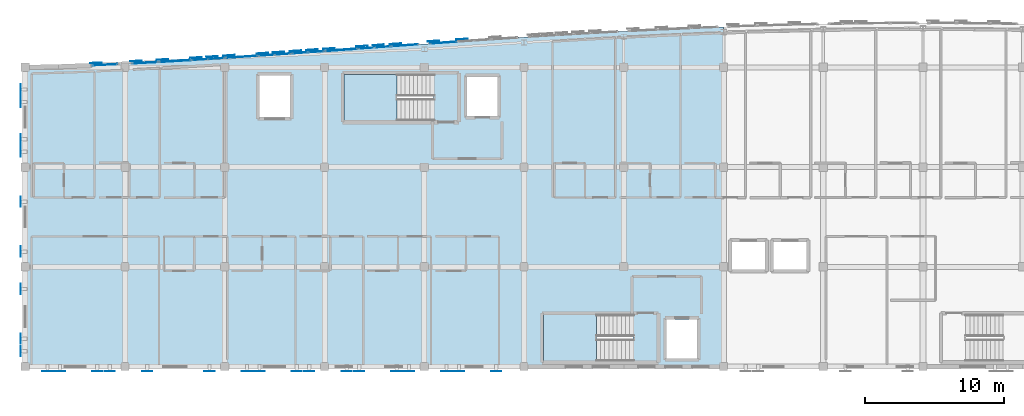
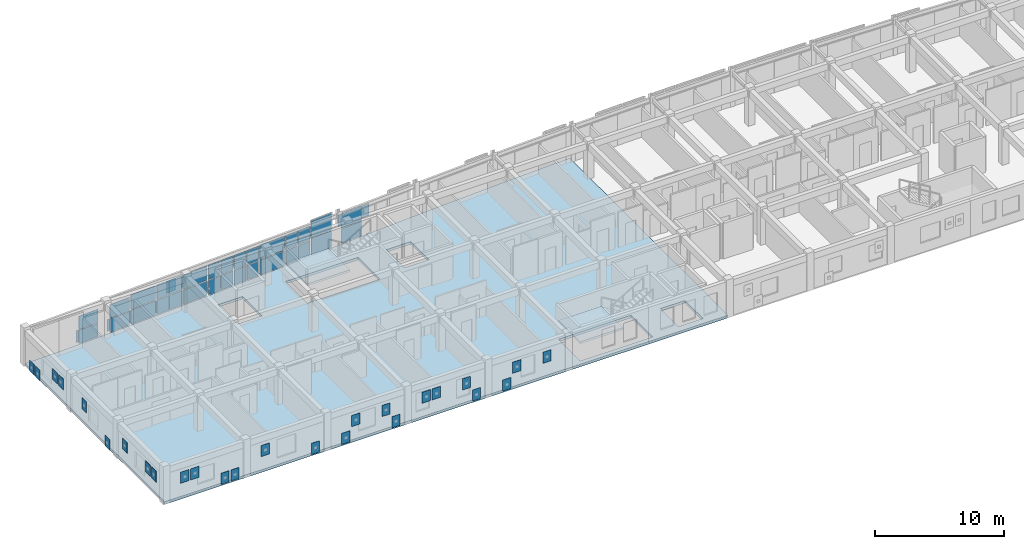
# One storey, part 29 of 45: 72 plates, 3 slabs, 13 elements without a shape of their own.
"""IFC4 building model written with IfcOpenShell, lengths in metres."""

from ifc_helpers import new_model, si_unit, direction, frame, origin, origin_2d, place, context, subcontext, project, spatial, polyline, rectangle, outline, extrude, material, layer, layer_set, type_object, element, aggregate, save


model = new_model("IFC4")

# Units and contexts
model_context = context("Model", 3, precision=1e-05, world=origin(), true_north=direction((0.0, 1.0)))
body_context = subcontext(model_context, "Body", "Model", "MODEL_VIEW")
ifc_project = project(units=[si_unit("LENGTHUNIT", "METRE"), si_unit("AREAUNIT", "SQUARE_METRE"), si_unit("VOLUMEUNIT", "CUBIC_METRE"), si_unit("PLANEANGLEUNIT", "RADIAN"), si_unit("MASSUNIT", "GRAM", prefix="KILO")], contexts=[model_context])

# Site, building, storey
site_placement = place(None, origin())
site = spatial("IfcSite", under=ifc_project, at=site_placement, CompositionType="ELEMENT")
building_placement = place(site_placement, origin())
building = spatial("IfcBuilding", under=site, at=building_placement, Name="Carrowvane Square Congress Hotel", CompositionType="ELEMENT")
storey_placement = place(building_placement, frame((0.0, 0.0, 33.60009765625)))
storey = spatial("IfcBuildingStorey", under=building, at=storey_placement, Name="L08", CompositionType="ELEMENT", Elevation=33.60009765625)

# Curtain wall, plates
ifc_material_1 = material(Name="Anodised aluminium", Category="aluminium")
ifc_layer_1 = layer(ifc_material_1, 0.2099609375)
ifc_layer_set_1 = layer_set([ifc_layer_1], Name="Anodised aluminium")
curtain_wall_type_1 = type_object("IfcCurtainWallType", Name="CW-SYS-5", PredefinedType="NOTDEFINED", material=ifc_layer_set_1)
curtain_wall_1_placement = place(storey_placement, origin())
curtain_wall_1 = element("IfcCurtainWall", 1, at=curtain_wall_1_placement, inside=storey, type_object=curtain_wall_type_1, Name="L08 unitised curtain wall 460", PredefinedType="NOTDEFINED")
ifc_material_2 = material(Name="Double-glazed low-E glass", Category="glass")
ifc_layer_2 = layer(ifc_material_2, 0.028076171875)
ifc_layer_set_2 = layer_set([ifc_layer_2], Name="Double-glazed low-E glass")
plate_type_1 = type_object("IfcPlateType", Name="CW-PAN-1", PredefinedType="CURTAIN_PANEL", material=ifc_layer_set_2)
plate_1_placement = place(storey_placement, frame((45.81494140625, 113.962158203125, 0.06005859375), z_axis=(0.0, 0.0, 1.0), x_axis=(0.997996225303, 0.063273487972, 0.0)))
plate_1 = element("IfcPlate", 2, at=plate_1_placement, type_object=plate_type_1, Name="CW-5 panel 1.1", PredefinedType="CURTAIN_PANEL", context=body_context, shape_type="SweptSolid", body=[
    extrude(rectangle(XDim=1.1123046875, YDim=0.028076171875, at=origin_2d()), origin(), (0.0, 0.0, 1.0), 1.377685546875),
])
plate_2_placement = place(storey_placement, frame((45.81494140625, 113.962158203125, 1.49755859375), z_axis=(0.0, 0.0, 1.0), x_axis=(0.997996225303, 0.063273487972, 0.0)))
plate_2 = element("IfcPlate", 3, at=plate_2_placement, type_object=plate_type_1, Name="CW-5 panel 1.2", PredefinedType="CURTAIN_PANEL", context=body_context, shape_type="SweptSolid", body=[
    extrude(rectangle(XDim=1.1123046875, YDim=0.028076171875, at=origin_2d()), origin(), (0.0, 0.0, 1.0), 1.377685546875),
])
plate_3_placement = place(storey_placement, frame((46.985107421875, 114.036376953125, 0.06005859375), z_axis=(0.0, 0.0, 1.0), x_axis=(0.997996225303, 0.063273487972, 0.0)))
plate_3 = element("IfcPlate", 4, at=plate_3_placement, type_object=plate_type_1, Name="CW-5 panel 2.1", PredefinedType="CURTAIN_PANEL", context=body_context, shape_type="SweptSolid", body=[
    extrude(rectangle(XDim=1.1123046875, YDim=0.028076171875, at=origin_2d()), origin(), (0.0, 0.0, 1.0), 1.377685546875),
])
plate_4_placement = place(storey_placement, frame((46.985107421875, 114.036376953125, 1.49755859375), z_axis=(0.0, 0.0, 1.0), x_axis=(0.997996225303, 0.063273487972, 0.0)))
plate_4 = element("IfcPlate", 5, at=plate_4_placement, type_object=plate_type_1, Name="CW-5 panel 2.2", PredefinedType="CURTAIN_PANEL", context=body_context, shape_type="SweptSolid", body=[
    extrude(rectangle(XDim=1.1123046875, YDim=0.028076171875, at=origin_2d()), origin(), (0.0, 0.0, 1.0), 1.377685546875),
])
aggregate(curtain_wall_1, [plate_1, plate_2, plate_3, plate_4])

ifc_material_3 = material(Name="Anodised aluminium", Category="aluminium")
ifc_layer_3 = layer(ifc_material_3, 0.174072265625)
ifc_layer_set_3 = layer_set([ifc_layer_3], Name="Anodised aluminium")
curtain_wall_type_2 = type_object("IfcCurtainWallType", Name="CW-SYS-2", PredefinedType="NOTDEFINED", material=ifc_layer_set_3)
curtain_wall_2_placement = place(storey_placement, origin())
curtain_wall_2 = element("IfcCurtainWall", 6, at=curtain_wall_2_placement, inside=storey, type_object=curtain_wall_type_2, Name="L08 unitised curtain wall 465", PredefinedType="NOTDEFINED")
plate_5_placement = place(storey_placement, frame((57.8173828125, 114.787353515625, 0.06982421875), z_axis=(0.0, 0.0, 1.0), x_axis=(0.997438322595, 0.071531759512, 0.0)))
plate_5 = element("IfcPlate", 7, at=plate_5_placement, type_object=plate_type_1, Name="CW-2 panel 1.1", PredefinedType="CURTAIN_PANEL", context=body_context, shape_type="SweptSolid", body=[
    extrude(rectangle(XDim=1.09814453125, YDim=0.028076171875, at=origin_2d()), origin(), (0.0, 0.0, 1.0), 1.36279296875),
])
plate_6_placement = place(storey_placement, frame((57.8173828125, 114.787353515625, 1.502685546875), z_axis=(0.0, 0.0, 1.0), x_axis=(0.997438322595, 0.071531759512, 0.0)))
plate_6 = element("IfcPlate", 8, at=plate_6_placement, type_object=plate_type_1, Name="CW-2 panel 1.2", PredefinedType="CURTAIN_PANEL", context=body_context, shape_type="SweptSolid", body=[
    extrude(rectangle(XDim=1.09814453125, YDim=0.028076171875, at=origin_2d()), origin(), (0.0, 0.0, 1.0), 1.36279296875),
])
plate_7_placement = place(storey_placement, frame((58.982666015625, 114.870849609375, 0.06982421875), z_axis=(0.0, 0.0, 1.0), x_axis=(0.997438322595, 0.071531759512, 0.0)))
plate_7 = element("IfcPlate", 9, at=plate_7_placement, type_object=plate_type_1, Name="CW-2 panel 2.1", PredefinedType="CURTAIN_PANEL", context=body_context, shape_type="SweptSolid", body=[
    extrude(rectangle(XDim=1.09814453125, YDim=0.028076171875, at=origin_2d()), origin(), (0.0, 0.0, 1.0), 1.36279296875),
])
plate_8_placement = place(storey_placement, frame((58.982666015625, 114.870849609375, 1.502685546875), z_axis=(0.0, 0.0, 1.0), x_axis=(0.997438322595, 0.071531759512, 0.0)))
plate_8 = element("IfcPlate", 10, at=plate_8_placement, type_object=plate_type_1, Name="CW-2 panel 2.2", PredefinedType="CURTAIN_PANEL", context=body_context, shape_type="SweptSolid", body=[
    extrude(rectangle(XDim=1.09814453125, YDim=0.028076171875, at=origin_2d()), origin(), (0.0, 0.0, 1.0), 1.36279296875),
])
aggregate(curtain_wall_2, [plate_5, plate_6, plate_7, plate_8])

ifc_material_4 = material(Name="Anodised aluminium", Category="aluminium")
ifc_layer_4 = layer(ifc_material_4, 0.221923828125)
ifc_layer_set_4 = layer_set([ifc_layer_4], Name="Anodised aluminium")
curtain_wall_type_3 = type_object("IfcCurtainWallType", Name="CW-SYS-6", PredefinedType="NOTDEFINED", material=ifc_layer_set_4)
curtain_wall_3_placement = place(storey_placement, origin())
curtain_wall_3 = element("IfcCurtainWall", 11, at=curtain_wall_3_placement, inside=storey, type_object=curtain_wall_type_3, Name="L08 unitised curtain wall 461", PredefinedType="NOTDEFINED")
ifc_material_5 = material(Name="Double-glazed low-E glass", Category="glass")
ifc_layer_5 = layer(ifc_material_5, 0.031982421875)
ifc_layer_set_5 = layer_set([ifc_layer_5], Name="Double-glazed low-E glass")
plate_type_2 = type_object("IfcPlateType", Name="CW-PAN-2", PredefinedType="CURTAIN_PANEL", material=ifc_layer_set_5)
plate_9_placement = place(storey_placement, frame((48.800048828125, 114.155517578125, 0.06982421875), z_axis=(0.0, 0.0, 1.0), x_axis=(0.99778121937, 0.066578061501, 0.0)))
plate_9 = element("IfcPlate", 12, at=plate_9_placement, type_object=plate_type_2, Name="CW-6 panel 1.1", PredefinedType="CURTAIN_PANEL", context=body_context, shape_type="SweptSolid", body=[
    extrude(rectangle(XDim=2.265380859375, YDim=0.031982421875, at=origin_2d()), origin(), (0.0, 0.0, 1.0), 1.36279296875),
])
plate_10_placement = place(storey_placement, frame((48.800048828125, 114.155517578125, 1.502685546875), z_axis=(0.0, 0.0, 1.0), x_axis=(0.99778121937, 0.066578061501, 0.0)))
plate_10 = element("IfcPlate", 13, at=plate_10_placement, type_object=plate_type_2, Name="CW-6 panel 1.2", PredefinedType="CURTAIN_PANEL", context=body_context, shape_type="SweptSolid", body=[
    extrude(rectangle(XDim=2.265380859375, YDim=0.031982421875, at=origin_2d()), origin(), (0.0, 0.0, 1.0), 1.36279296875),
])
aggregate(curtain_wall_3, [plate_9, plate_10])

ifc_material_6 = material(Name="Anodised aluminium", Category="aluminium")
ifc_layer_6 = layer(ifc_material_6, 0.18603515625)
ifc_layer_set_6 = layer_set([ifc_layer_6], Name="Anodised aluminium")
curtain_wall_type_4 = type_object("IfcCurtainWallType", Name="CW-SYS-3", PredefinedType="NOTDEFINED", material=ifc_layer_set_6)
curtain_wall_4_placement = place(storey_placement, origin())
curtain_wall_4 = element("IfcCurtainWall", 14, at=curtain_wall_4_placement, inside=storey, type_object=curtain_wall_type_4, Name="L08 unitised curtain wall 466", PredefinedType="NOTDEFINED")
plate_11_placement = place(storey_placement, frame((60.5947265625, 114.986083984375, 0.06005859375), z_axis=(0.0, 0.0, 1.0), x_axis=(0.997479146426, 0.070960217342, 0.0)))
plate_11 = element("IfcPlate", 15, at=plate_11_placement, type_object=plate_type_2, Name="CW-3 panel 1.1", PredefinedType="CURTAIN_PANEL", context=body_context, shape_type="SweptSolid", body=[
    extrude(rectangle(XDim=1.87451171875, YDim=0.031982421875, at=origin_2d()), origin(), (0.0, 0.0, 1.0), 1.590087890625),
])
plate_12_placement = place(storey_placement, frame((60.5947265625, 114.986083984375, 1.7099609375), z_axis=(0.0, 0.0, 1.0), x_axis=(0.997479146426, 0.070960217342, 0.0)))
plate_12 = element("IfcPlate", 16, at=plate_12_placement, type_object=plate_type_2, Name="CW-3 panel 1.2", PredefinedType="CURTAIN_PANEL", context=body_context, shape_type="SweptSolid", body=[
    extrude(rectangle(XDim=1.87451171875, YDim=0.031982421875, at=origin_2d()), origin(), (0.0, 0.0, 1.0), 1.590087890625),
])
aggregate(curtain_wall_4, [plate_11, plate_12])

curtain_wall_5_placement = place(storey_placement, origin())
curtain_wall_5 = element("IfcCurtainWall", 17, at=curtain_wall_5_placement, inside=storey, type_object=curtain_wall_type_2, Name="L08 unitised curtain wall 457", PredefinedType="NOTDEFINED")
ifc_material_7 = material(Name="Double-glazed low-E glass", Category="glass")
ifc_layer_7 = layer(ifc_material_7, 0.035888671875)
ifc_layer_set_7 = layer_set([ifc_layer_7], Name="Double-glazed low-E glass")
plate_type_3 = type_object("IfcPlateType", Name="CW-PAN-3", PredefinedType="CURTAIN_PANEL", material=ifc_layer_set_7)
plate_13_placement = place(storey_placement, frame((38.955810546875, 113.58544921875, 0.06982421875), z_axis=(0.0, 0.0, 1.0), x_axis=(0.998917263935, 0.046522035775, 0.0)))
plate_13 = element("IfcPlate", 18, at=plate_13_placement, type_object=plate_type_3, Name="CW-2 panel 1.1", PredefinedType="CURTAIN_PANEL", context=body_context, shape_type="SweptSolid", body=[
    extrude(rectangle(XDim=1.7734375, YDim=0.035888671875, at=origin_2d()), origin(), (0.0, 0.0, 1.0), 1.267578125),
])
plate_14_placement = place(storey_placement, frame((38.955810546875, 113.58544921875, 1.407470703125), z_axis=(0.0, 0.0, 1.0), x_axis=(0.998917263935, 0.046522035775, 0.0)))
plate_14 = element("IfcPlate", 19, at=plate_14_placement, type_object=plate_type_3, Name="CW-2 panel 1.2", PredefinedType="CURTAIN_PANEL", context=body_context, shape_type="SweptSolid", body=[
    extrude(rectangle(XDim=1.7734375, YDim=0.035888671875, at=origin_2d()), origin(), (0.0, 0.0, 1.0), 1.267578125),
])
aggregate(curtain_wall_5, [plate_13, plate_14])

ifc_material_8 = material(Name="Anodised aluminium", Category="aluminium")
ifc_layer_8 = layer(ifc_material_8, 0.23388671875)
ifc_layer_set_8 = layer_set([ifc_layer_8], Name="Anodised aluminium")
curtain_wall_type_5 = type_object("IfcCurtainWallType", Name="CW-SYS-7", PredefinedType="NOTDEFINED", material=ifc_layer_set_8)
curtain_wall_6_placement = place(storey_placement, origin())
curtain_wall_6 = element("IfcCurtainWall", 20, at=curtain_wall_6_placement, inside=storey, type_object=curtain_wall_type_5, Name="L08 unitised curtain wall 462", PredefinedType="NOTDEFINED")
plate_15_placement = place(storey_placement, frame((50.614990234375, 114.278076171875, 0.06005859375), z_axis=(0.0, 0.0, 1.0), x_axis=(0.997617619706, 0.068986120725, 0.0)))
plate_15 = element("IfcPlate", 21, at=plate_15_placement, type_object=plate_type_3, Name="CW-7 panel 1.1", PredefinedType="CURTAIN_PANEL", context=body_context, shape_type="SweptSolid", body=[
    extrude(rectangle(XDim=1.11279296875, YDim=0.035888671875, at=origin_2d()), origin(), (0.0, 0.0, 1.0), 1.377685546875),
])
plate_16_placement = place(storey_placement, frame((50.614990234375, 114.278076171875, 1.49755859375), z_axis=(0.0, 0.0, 1.0), x_axis=(0.997617619706, 0.068986120725, 0.0)))
plate_16 = element("IfcPlate", 22, at=plate_16_placement, type_object=plate_type_3, Name="CW-7 panel 1.2", PredefinedType="CURTAIN_PANEL", context=body_context, shape_type="SweptSolid", body=[
    extrude(rectangle(XDim=1.11279296875, YDim=0.035888671875, at=origin_2d()), origin(), (0.0, 0.0, 1.0), 1.377685546875),
])
plate_17_placement = place(storey_placement, frame((51.784912109375, 114.35888671875, 0.06005859375), z_axis=(0.0, 0.0, 1.0), x_axis=(0.997617619706, 0.068986120725, 0.0)))
plate_17 = element("IfcPlate", 23, at=plate_17_placement, type_object=plate_type_3, Name="CW-7 panel 2.1", PredefinedType="CURTAIN_PANEL", context=body_context, shape_type="SweptSolid", body=[
    extrude(rectangle(XDim=1.11279296875, YDim=0.035888671875, at=origin_2d()), origin(), (0.0, 0.0, 1.0), 1.377685546875),
])
plate_18_placement = place(storey_placement, frame((51.784912109375, 114.35888671875, 1.49755859375), z_axis=(0.0, 0.0, 1.0), x_axis=(0.997617619706, 0.068986120725, 0.0)))
plate_18 = element("IfcPlate", 24, at=plate_18_placement, type_object=plate_type_3, Name="CW-7 panel 2.2", PredefinedType="CURTAIN_PANEL", context=body_context, shape_type="SweptSolid", body=[
    extrude(rectangle(XDim=1.11279296875, YDim=0.035888671875, at=origin_2d()), origin(), (0.0, 0.0, 1.0), 1.377685546875),
])
aggregate(curtain_wall_6, [plate_15, plate_16, plate_17, plate_18])

ifc_material_9 = material(Name="Anodised aluminium", Category="aluminium")
ifc_layer_9 = layer(ifc_material_9, 0.197998046875)
ifc_layer_set_9 = layer_set([ifc_layer_9], Name="Anodised aluminium")
curtain_wall_type_6 = type_object("IfcCurtainWallType", Name="CW-SYS-4", PredefinedType="NOTDEFINED", material=ifc_layer_set_9)
curtain_wall_7_placement = place(storey_placement, origin())
curtain_wall_7 = element("IfcCurtainWall", 25, at=curtain_wall_7_placement, inside=storey, type_object=curtain_wall_type_6, Name="L08 unitised curtain wall 467", PredefinedType="NOTDEFINED")
plate_19_placement = place(storey_placement, frame((63.378662109375, 115.182373046875, 0.06982421875), z_axis=(0.0, 0.0, 1.0), x_axis=(0.997566332949, 0.069723822092, 0.0)))
plate_19 = element("IfcPlate", 26, at=plate_19_placement, type_object=plate_type_3, Name="CW-4 panel 1.1", PredefinedType="CURTAIN_PANEL", context=body_context, shape_type="SweptSolid", body=[
    extrude(rectangle(XDim=1.90771484375, YDim=0.035888671875, at=origin_2d()), origin(), (0.0, 0.0, 1.0), 1.36279296875),
])
plate_20_placement = place(storey_placement, frame((63.378662109375, 115.182373046875, 1.502685546875), z_axis=(0.0, 0.0, 1.0), x_axis=(0.997566332949, 0.069723822092, 0.0)))
plate_20 = element("IfcPlate", 27, at=plate_20_placement, type_object=plate_type_3, Name="CW-4 panel 1.2", PredefinedType="CURTAIN_PANEL", context=body_context, shape_type="SweptSolid", body=[
    extrude(rectangle(XDim=1.90771484375, YDim=0.035888671875, at=origin_2d()), origin(), (0.0, 0.0, 1.0), 1.36279296875),
])
aggregate(curtain_wall_7, [plate_19, plate_20])

curtain_wall_8_placement = place(storey_placement, origin())
curtain_wall_8 = element("IfcCurtainWall", 28, at=curtain_wall_8_placement, inside=storey, type_object=curtain_wall_type_4, Name="L08 unitised curtain wall 458", PredefinedType="NOTDEFINED")
ifc_material_10 = material(Name="Double-glazed low-E glass", Category="glass")
ifc_layer_10 = layer(ifc_material_10, 0.0419921875)
ifc_layer_set_10 = layer_set([ifc_layer_10], Name="Double-glazed low-E glass")
plate_type_4 = type_object("IfcPlateType", Name="CW-PAN-4", PredefinedType="CURTAIN_PANEL", material=ifc_layer_set_10)
plate_21_placement = place(storey_placement, frame((41.83154296875, 113.7294921875, 0.06005859375), z_axis=(0.0, 0.0, 1.0), x_axis=(0.998567109091, 0.053513817306, 0.0)))
plate_21 = element("IfcPlate", 29, at=plate_21_placement, type_object=plate_type_4, Name="CW-3 panel 1.1", PredefinedType="CURTAIN_PANEL", context=body_context, shape_type="SweptSolid", body=[
    extrude(rectangle(XDim=1.819580078125, YDim=0.0419921875, at=origin_2d()), origin(), (0.0, 0.0, 1.0), 1.282470703125),
])
plate_22_placement = place(storey_placement, frame((41.83154296875, 113.7294921875, 1.40234375), z_axis=(0.0, 0.0, 1.0), x_axis=(0.998567109091, 0.053513817306, 0.0)))
plate_22 = element("IfcPlate", 30, at=plate_22_placement, type_object=plate_type_4, Name="CW-3 panel 1.2", PredefinedType="CURTAIN_PANEL", context=body_context, shape_type="SweptSolid", body=[
    extrude(rectangle(XDim=1.819580078125, YDim=0.0419921875, at=origin_2d()), origin(), (0.0, 0.0, 1.0), 1.282470703125),
])
aggregate(curtain_wall_8, [plate_21, plate_22])

ifc_material_11 = material(Name="Anodised aluminium", Category="aluminium")
ifc_layer_11 = layer(ifc_material_11, 0.24609375)
ifc_layer_set_11 = layer_set([ifc_layer_11], Name="Anodised aluminium")
curtain_wall_type_7 = type_object("IfcCurtainWallType", Name="CW-SYS-8", PredefinedType="NOTDEFINED", material=ifc_layer_set_11)
curtain_wall_9_placement = place(storey_placement, origin())
curtain_wall_9 = element("IfcCurtainWall", 31, at=curtain_wall_9_placement, inside=storey, type_object=curtain_wall_type_7, Name="L08 unitised curtain wall 463", PredefinedType="NOTDEFINED")
plate_23_placement = place(storey_placement, frame((53.017578125, 114.445068359375, 0.06982421875), z_axis=(0.0, 0.0, 1.0), x_axis=(0.997505697746, 0.070585996942, 0.0)))
plate_23 = element("IfcPlate", 32, at=plate_23_placement, type_object=plate_type_4, Name="CW-8 panel 1.1", PredefinedType="CURTAIN_PANEL", context=body_context, shape_type="SweptSolid", body=[
    extrude(rectangle(XDim=1.097900390625, YDim=0.0419921875, at=origin_2d()), origin(), (0.0, 0.0, 1.0), 1.36279296875),
])
plate_24_placement = place(storey_placement, frame((53.017578125, 114.445068359375, 1.502685546875), z_axis=(0.0, 0.0, 1.0), x_axis=(0.997505697746, 0.070585996942, 0.0)))
plate_24 = element("IfcPlate", 33, at=plate_24_placement, type_object=plate_type_4, Name="CW-8 panel 1.2", PredefinedType="CURTAIN_PANEL", context=body_context, shape_type="SweptSolid", body=[
    extrude(rectangle(XDim=1.097900390625, YDim=0.0419921875, at=origin_2d()), origin(), (0.0, 0.0, 1.0), 1.36279296875),
])
plate_25_placement = place(storey_placement, frame((54.1826171875, 114.527587890625, 0.06982421875), z_axis=(0.0, 0.0, 1.0), x_axis=(0.997505697746, 0.070585996942, 0.0)))
plate_25 = element("IfcPlate", 34, at=plate_25_placement, type_object=plate_type_4, Name="CW-8 panel 2.1", PredefinedType="CURTAIN_PANEL", context=body_context, shape_type="SweptSolid", body=[
    extrude(rectangle(XDim=1.097900390625, YDim=0.0419921875, at=origin_2d()), origin(), (0.0, 0.0, 1.0), 1.36279296875),
])
plate_26_placement = place(storey_placement, frame((54.1826171875, 114.527587890625, 1.502685546875), z_axis=(0.0, 0.0, 1.0), x_axis=(0.997505697746, 0.070585996942, 0.0)))
plate_26 = element("IfcPlate", 35, at=plate_26_placement, type_object=plate_type_4, Name="CW-8 panel 2.2", PredefinedType="CURTAIN_PANEL", context=body_context, shape_type="SweptSolid", body=[
    extrude(rectangle(XDim=1.097900390625, YDim=0.0419921875, at=origin_2d()), origin(), (0.0, 0.0, 1.0), 1.36279296875),
])
aggregate(curtain_wall_9, [plate_23, plate_24, plate_25, plate_26])

curtain_wall_10_placement = place(storey_placement, origin())
curtain_wall_10 = element("IfcCurtainWall", 36, at=curtain_wall_10_placement, inside=storey, type_object=curtain_wall_type_6, Name="L08 unitised curtain wall 459", PredefinedType="NOTDEFINED")
ifc_material_12 = material(Name="Double-glazed low-E glass", Category="glass")
ifc_layer_12 = layer(ifc_material_12, 0.048095703125)
ifc_layer_set_12 = layer_set([ifc_layer_12], Name="Double-glazed low-E glass")
plate_type_5 = type_object("IfcPlateType", Name="CW-PAN-5", PredefinedType="CURTAIN_PANEL", material=ifc_layer_set_12)
plate_27_placement = place(storey_placement, frame((44.0, 113.852294921875, 0.06982421875), z_axis=(0.0, 0.0, 1.0), x_axis=(0.99825866099, 0.058988522254, 0.0)))
plate_27 = element("IfcPlate", 37, at=plate_27_placement, type_object=plate_type_5, Name="CW-4 panel 1.1", PredefinedType="CURTAIN_PANEL", context=body_context, shape_type="SweptSolid", body=[
    extrude(rectangle(XDim=2.26416015625, YDim=0.048095703125, at=origin_2d()), origin(), (0.0, 0.0, 1.0), 1.36279296875),
])
plate_28_placement = place(storey_placement, frame((44.0, 113.852294921875, 1.502685546875), z_axis=(0.0, 0.0, 1.0), x_axis=(0.99825866099, 0.058988522254, 0.0)))
plate_28 = element("IfcPlate", 38, at=plate_28_placement, type_object=plate_type_5, Name="CW-4 panel 1.2", PredefinedType="CURTAIN_PANEL", context=body_context, shape_type="SweptSolid", body=[
    extrude(rectangle(XDim=2.26416015625, YDim=0.048095703125, at=origin_2d()), origin(), (0.0, 0.0, 1.0), 1.36279296875),
])
aggregate(curtain_wall_10, [plate_27, plate_28])

ifc_material_13 = material(Name="Anodised aluminium", Category="aluminium")
ifc_layer_13 = layer(ifc_material_13, 0.162109375)
ifc_layer_set_13 = layer_set([ifc_layer_13], Name="Anodised aluminium")
curtain_wall_type_8 = type_object("IfcCurtainWallType", Name="CW-SYS-1", PredefinedType="NOTDEFINED", material=ifc_layer_set_13)
curtain_wall_11_placement = place(storey_placement, origin())
curtain_wall_11 = element("IfcCurtainWall", 39, at=curtain_wall_11_placement, inside=storey, type_object=curtain_wall_type_8, Name="L08 unitised curtain wall 464", PredefinedType="NOTDEFINED")
plate_29_placement = place(storey_placement, frame((56.0, 114.6572265625, 0.06005859375), z_axis=(0.0, 0.0, 1.0), x_axis=(0.997446448898, 0.071418356042, 0.0)))
plate_29 = element("IfcPlate", 40, at=plate_29_placement, type_object=plate_type_5, Name="CW-1 panel 1.1", PredefinedType="CURTAIN_PANEL", context=body_context, shape_type="SweptSolid", body=[
    extrude(rectangle(XDim=2.2861328125, YDim=0.048095703125, at=origin_2d()), origin(), (0.0, 0.0, 1.0), 1.377685546875),
])
plate_30_placement = place(storey_placement, frame((56.0, 114.6572265625, 1.49755859375), z_axis=(0.0, 0.0, 1.0), x_axis=(0.997446448898, 0.071418356042, 0.0)))
plate_30 = element("IfcPlate", 41, at=plate_30_placement, type_object=plate_type_5, Name="CW-1 panel 1.2", PredefinedType="CURTAIN_PANEL", context=body_context, shape_type="SweptSolid", body=[
    extrude(rectangle(XDim=2.2861328125, YDim=0.048095703125, at=origin_2d()), origin(), (0.0, 0.0, 1.0), 1.377685546875),
])
aggregate(curtain_wall_11, [plate_29, plate_30])

# Plates
ifc_material_14 = material(Name="Champagne-gold anodised aluminium", Category="aluminium")
ifc_layer_14 = layer(ifc_material_14, 0.011962890625)
ifc_layer_set_14 = layer_set([ifc_layer_14], Name="Champagne-gold anodised aluminium")
plate_type_6 = type_object("IfcPlateType", Name="PLT-PIX-GOLD12", PredefinedType="SHEET", material=ifc_layer_set_14)
for number, where, z_axis, x_axis, name in (
    (42, (38.316650390625, 113.721923828125, 0.119873046875), (0.0, 0.0, 1.0), (0.99891730083, 0.046521243556, 0.0), "Champagne-gold pixel screen plate 758"),
    (43, (43.114501953125, 113.96630859375, 0.119873046875), (0.0, 0.0, 1.0), (0.998258866948, 0.05898503675, 0.0), "Champagne-gold pixel screen plate 760"),
    (44, (47.9130859375, 114.2626953125, 1.58984375), (0.0, 0.0, 1.0), (0.997781458784, 0.066574473385, 0.0), "Champagne-gold pixel screen plate 763"),
    (45, (52.712158203125, 114.58984375, 1.58984375), (0.0, 0.0, 1.0), (0.997505756275, 0.070585169822, 0.0), "Champagne-gold pixel screen plate 766"),
    (46, (53.87744140625, 114.67236328125, 1.58984375), (0.0, 0.0, 1.0), (0.997505756275, 0.070585169822, 0.0), "Champagne-gold pixel screen plate 767"),
    (47, (57.51220703125, 114.931884765625, 1.58984375), (0.0, 0.0, 1.0), (0.997438267187, 0.071532532122, 0.0), "Champagne-gold pixel screen plate 769"),
    (48, (58.67724609375, 115.015380859375, 1.58984375), (0.0, 0.0, 1.0), (0.997438267187, 0.071532532122, 0.0), "Champagne-gold pixel screen plate 770"),
    (49, (62.669677734375, 115.299072265625, 1.58984375), (0.0, 0.0, 1.0), (0.997566258056, 0.069724893606, 0.0), "Champagne-gold pixel screen plate 772"),
):
    element("IfcPlate", number, at=place(storey_placement, frame(where, z_axis=z_axis, x_axis=x_axis)), inside=storey, type_object=plate_type_6, Name=name, PredefinedType="SHEET", context=body_context, shape_type="SweptSolid", body=[
        extrude(rectangle(XDim=0.827880859375, YDim=0.011962890625, at=origin_2d()), origin(), (0.0, 0.0, 1.0), 1.1201171875),
    ])
for number, where, z_axis, x_axis, name in (
    (50, (60.89990234375, 91.468994140625, 0.15478515625), (0.0, 0.0, 1.0), (-1.0, 0.0, 0.0), "Champagne-gold pixel screen plate S-844"),
    (51, (60.0, 91.468994140625, 1.52490234375), (0.0, 0.0, 1.0), (-1.0, 0.0, 0.0), "Champagne-gold pixel screen plate S-845"),
    (52, (57.300048828125, 91.468994140625, 1.52490234375), (0.0, 0.0, 1.0), (-1.0, 0.0, 0.0), "Champagne-gold pixel screen plate S-846"),
    (53, (56.39990234375, 91.468994140625, 1.52490234375), (0.0, 0.0, 1.0), (-1.0, 0.0, 0.0), "Champagne-gold pixel screen plate S-847"),
    (54, (46.5, 91.468994140625, 0.15478515625), (0.0, 0.0, 1.0), (-1.0, 0.0, 0.0), "Champagne-gold pixel screen plate S-852"),
    (55, (42.0, 91.468994140625, 1.52490234375), (0.0, 0.0, 1.0), (-1.0, 0.0, 0.0), "Champagne-gold pixel screen plate S-853"),
    (56, (32.868896484375, 92.89990234375, 1.52001953125), (0.0, 0.0, 1.0), (0.0, 1.0, 0.0), "Champagne-gold pixel screen plate S-858"),
    (57, (32.868896484375, 93.800048828125, 1.52001953125), (0.0, 0.0, 1.0), (0.0, 1.0, 0.0), "Champagne-gold pixel screen plate S-859"),
    (58, (32.868896484375, 97.39990234375, 1.52001953125), (0.0, 0.0, 1.0), (0.0, 1.0, 0.0), "Champagne-gold pixel screen plate S-860"),
    (59, (32.868896484375, 107.300048828125, 1.52001953125), (0.0, 0.0, 1.0), (0.0, 1.0, 0.0), "Champagne-gold pixel screen plate S-863"),
    (60, (32.868896484375, 108.199951171875, 1.52001953125), (0.0, 0.0, 1.0), (0.0, 1.0, 0.0), "Champagne-gold pixel screen plate S-864"),
    (61, (32.868896484375, 110.89990234375, 0.15478515625), (0.0, 0.0, 1.0), (0.0, 1.0, 0.0), "Champagne-gold pixel screen plate S-865"),
    (62, (32.868896484375, 111.800048828125, 0.15478515625), (0.0, 0.0, 1.0), (0.0, 1.0, 0.0), "Champagne-gold pixel screen plate S-866"),
):
    element("IfcPlate", number, at=place(storey_placement, frame(where, z_axis=z_axis, x_axis=x_axis)), inside=storey, type_object=plate_type_6, Name=name, PredefinedType="SHEET", context=body_context, shape_type="SweptSolid", body=[
        extrude(rectangle(XDim=0.738037109375, YDim=0.011962890625, at=origin_2d()), origin(), (0.0, 0.0, 1.0), 1.050048828125),
    ])
ifc_material_15 = material(Name="Champagne-gold anodised aluminium", Category="aluminium")
ifc_layer_15 = layer(ifc_material_15, 0.008056640625)
ifc_layer_set_15 = layer_set([ifc_layer_15], Name="Champagne-gold anodised aluminium")
plate_type_7 = type_object("IfcPlateType", Name="PLT-PIX-GOLD8", PredefinedType="SHEET", material=ifc_layer_set_15)
for number, where, z_axis, x_axis, name in (
    (63, (41.173828125, 113.8583984375, 0.119873046875), (0.0, 0.0, 1.0), (0.998566941363, 0.053516947007, 0.0), "Champagne-gold pixel screen plate 759"),
    (64, (45.5087890625, 114.107177734375, 0.119873046875), (0.0, 0.0, 1.0), (0.997996022269, 0.063276690295, 0.0), "Champagne-gold pixel screen plate 761"),
    (65, (46.6787109375, 114.18115234375, 1.58984375), (0.0, 0.0, 1.0), (0.997996022269, 0.063276690295, 0.0), "Champagne-gold pixel screen plate 762"),
    (66, (50.3076171875, 114.421142578125, 0.119873046875), (0.0, 0.0, 1.0), (0.99761759323, 0.068986503591, 0.0), "Champagne-gold pixel screen plate 764"),
    (67, (51.477783203125, 114.501953125, 0.119873046875), (0.0, 0.0, 1.0), (0.99761759323, 0.068986503591, 0.0), "Champagne-gold pixel screen plate 765"),
    (68, (55.107177734375, 114.757568359375, 1.58984375), (0.0, 0.0, 1.0), (0.997446326449, 0.071420066188, 0.0), "Champagne-gold pixel screen plate 768"),
    (69, (59.907470703125, 115.1015625, 1.58984375), (0.0, 0.0, 1.0), (0.997479379392, 0.070956942496, 0.0), "Champagne-gold pixel screen plate 771"),
    (70, (64.7080078125, 115.43896484375, 1.58984375), (0.0, 0.0, 1.0), (0.9976944394, 0.067866085713, 0.0), "Champagne-gold pixel screen plate 773"),
):
    element("IfcPlate", number, at=place(storey_placement, frame(where, z_axis=z_axis, x_axis=x_axis)), inside=storey, type_object=plate_type_7, Name=name, PredefinedType="SHEET", context=body_context, shape_type="SweptSolid", body=[
        extrude(rectangle(XDim=0.827880859375, YDim=0.008056640625, at=origin_2d()), origin(), (0.0, 0.0, 1.0), 1.1201171875),
    ])
for number, where, z_axis, x_axis, name in (
    (71, (67.199951171875, 91.470947265625, 1.52490234375), (0.0, 0.0, 1.0), (-1.0, 0.0, 0.0), "Champagne-gold pixel screen plate S-841"),
    (72, (64.5, 91.470947265625, 1.52490234375), (0.0, 0.0, 1.0), (-1.0, 0.0, 0.0), "Champagne-gold pixel screen plate S-842"),
    (73, (63.60009765625, 91.470947265625, 0.15478515625), (0.0, 0.0, 1.0), (-1.0, 0.0, 0.0), "Champagne-gold pixel screen plate S-843"),
    (74, (53.699951171875, 91.470947265625, 0.15478515625), (0.0, 0.0, 1.0), (-1.0, 0.0, 0.0), "Champagne-gold pixel screen plate S-848"),
    (75, (52.800048828125, 91.470947265625, 1.52490234375), (0.0, 0.0, 1.0), (-1.0, 0.0, 0.0), "Champagne-gold pixel screen plate S-849"),
    (76, (50.10009765625, 91.470947265625, 1.52490234375), (0.0, 0.0, 1.0), (-1.0, 0.0, 0.0), "Champagne-gold pixel screen plate S-850"),
    (77, (49.199951171875, 91.470947265625, 0.15478515625), (0.0, 0.0, 1.0), (-1.0, 0.0, 0.0), "Champagne-gold pixel screen plate S-851"),
    (78, (39.300048828125, 91.470947265625, 0.15478515625), (0.0, 0.0, 1.0), (-1.0, 0.0, 0.0), "Champagne-gold pixel screen plate S-854"),
    (79, (38.39990234375, 91.470947265625, 0.15478515625), (0.0, 0.0, 1.0), (-1.0, 0.0, 0.0), "Champagne-gold pixel screen plate S-855"),
    (80, (35.699951171875, 91.470947265625, 1.52490234375), (0.0, 0.0, 1.0), (-1.0, 0.0, 0.0), "Champagne-gold pixel screen plate S-856"),
    (81, (34.800048828125, 91.470947265625, 1.52490234375), (0.0, 0.0, 1.0), (-1.0, 0.0, 0.0), "Champagne-gold pixel screen plate S-857"),
    (82, (32.87109375, 100.10009765625, 0.15478515625), (0.0, 0.0, 1.0), (0.0, 1.0, 0.0), "Champagne-gold pixel screen plate S-861"),
    (83, (32.87109375, 103.699951171875, 1.52001953125), (0.0, 0.0, 1.0), (0.0, 1.0, 0.0), "Champagne-gold pixel screen plate S-862"),
):
    element("IfcPlate", number, at=place(storey_placement, frame(where, z_axis=z_axis, x_axis=x_axis)), inside=storey, type_object=plate_type_7, Name=name, PredefinedType="SHEET", context=body_context, shape_type="SweptSolid", body=[
        extrude(rectangle(XDim=0.738037109375, YDim=0.008056640625, at=origin_2d()), origin(), (0.0, 0.0, 1.0), 1.050048828125),
    ])

# Slab
ifc_material_16 = material(Name="Concrete C35/45", Category="concrete")
ifc_layer_16 = layer(ifc_material_16, 0.239990234375)
ifc_layer_set_16 = layer_set([ifc_layer_16], Name="Concrete C35/45")
slab_type_1 = type_object("IfcSlabType", Name="SLB-FLR-240", PredefinedType="FLOOR", material=ifc_layer_set_16)
slab_1_placement = place(storey_placement, frame((0.0, 0.0, -0.239990234375)))
element("IfcSlab", 84, at=slab_1_placement, inside=storey, type_object=slab_type_1, Name="L08 Hotel Wing slab panel 1", PredefinedType="FLOOR", context=body_context, shape_type="SweptSolid", body=[
    extrude(outline(polyline([(33.199951171875, 91.800048828125), (83.60009765625, 91.800048828125), (83.60009765625, 116.323974609375), (81.199951171875, 116.2275390625), (78.800048828125, 116.118408203125), (76.39990234375, 115.99755859375), (74.0, 115.86572265625), (71.60009765625, 115.724365234375), (69.199951171875, 115.57421875), (66.800048828125, 115.4169921875), (64.39990234375, 115.253662109375), (62.0, 115.0859375), (59.60009765625, 114.915283203125), (57.199951171875, 114.7431640625), (54.800048828125, 114.5712890625), (52.39990234375, 114.4013671875), (50.0, 114.235595703125), (47.60009765625, 114.075439453125), (45.199951171875, 113.923095703125), (42.800048828125, 113.78125), (40.39990234375, 113.65283203125), (38.0, 113.541015625), (35.60009765625, 113.45166015625), (33.199951171875, 113.39990234375), (33.199951171875, 91.800048828125)]), holes=[polyline([(62.679931640625, 112.89990234375), (56.199951171875, 112.89990234375), (56.199951171875, 109.5400390625), (62.679931640625, 109.5400390625), (62.679931640625, 112.89990234375)]), polyline([(77.080078125, 95.56005859375), (70.60009765625, 95.56005859375), (70.60009765625, 92.199951171875), (77.080078125, 92.199951171875), (77.080078125, 95.56005859375)]), polyline([(65.10009765625, 109.89990234375), (67.300048828125, 109.89990234375), (67.300048828125, 112.699951171875), (65.10009765625, 112.699951171875), (65.10009765625, 109.89990234375)]), polyline([(79.5, 92.39990234375), (81.699951171875, 92.39990234375), (81.699951171875, 95.199951171875), (79.5, 95.199951171875), (79.5, 92.39990234375)]), polyline([(50.10009765625, 109.800048828125), (52.300048828125, 109.800048828125), (52.300048828125, 112.800048828125), (50.10009765625, 112.800048828125), (50.10009765625, 109.800048828125)])]), origin(), (0.0, 0.0, 1.0), 0.239990234375),
])

# Stair, slab
ifc_material_17 = material(Name="Concrete C35/45", Category="concrete")
stair_type = type_object("IfcStairType", Name="STR-DOG-02", PredefinedType="HALF_TURN_STAIR", material=ifc_material_17)
stair_1_placement = place(storey_placement, origin())
stair_1 = element("IfcStair", 85, at=stair_1_placement, inside=storey, type_object=stair_type, Name="L08 Core C1 West Hotel Firefighting Stair", PredefinedType="HALF_TURN_STAIR")
ifc_material_18 = material(Name="Concrete C35/45", Category="concrete")
ifc_layer_17 = layer(ifc_material_18, 0.199951171875)
ifc_layer_set_17 = layer_set([ifc_layer_17], Name="Concrete C35/45")
slab_type_2 = type_object("IfcSlabType", Name="SLB-LND-200", PredefinedType="LANDING", material=ifc_layer_set_17)
slab_2_placement = place(storey_placement, frame((0.0, 0.0, 1.599853515625)))
slab_2 = element("IfcSlab", 86, at=slab_2_placement, type_object=slab_type_2, Name="ST1 landing 1", PredefinedType="LANDING", context=body_context, shape_type="SweptSolid", body=[
    extrude(outline(polyline([(60.02001953125, 112.89990234375), (56.199951171875, 112.89990234375), (56.199951171875, 109.5400390625), (60.02001953125, 109.5400390625), (60.02001953125, 112.89990234375)])), origin(), (0.0, 0.0, 1.0), 0.199951171875),
])
aggregate(stair_1, [slab_2])

stair_2_placement = place(storey_placement, origin())
stair_2 = element("IfcStair", 87, at=stair_2_placement, inside=storey, type_object=stair_type, Name="L08 Core C2 Central Hotel Firefighting Stair", PredefinedType="HALF_TURN_STAIR")
slab_3_placement = place(storey_placement, frame((0.0, 0.0, 1.599853515625)))
slab_3 = element("IfcSlab", 88, at=slab_3_placement, type_object=slab_type_2, Name="ST2 landing 1", PredefinedType="LANDING", context=body_context, shape_type="SweptSolid", body=[
    extrude(outline(polyline([(74.419921875, 95.56005859375), (70.60009765625, 95.56005859375), (70.60009765625, 92.199951171875), (74.419921875, 92.199951171875), (74.419921875, 95.56005859375)])), origin(), (0.0, 0.0, 1.0), 0.199951171875),
])
aggregate(stair_2, [slab_3])

save(model, "model.ifc")
